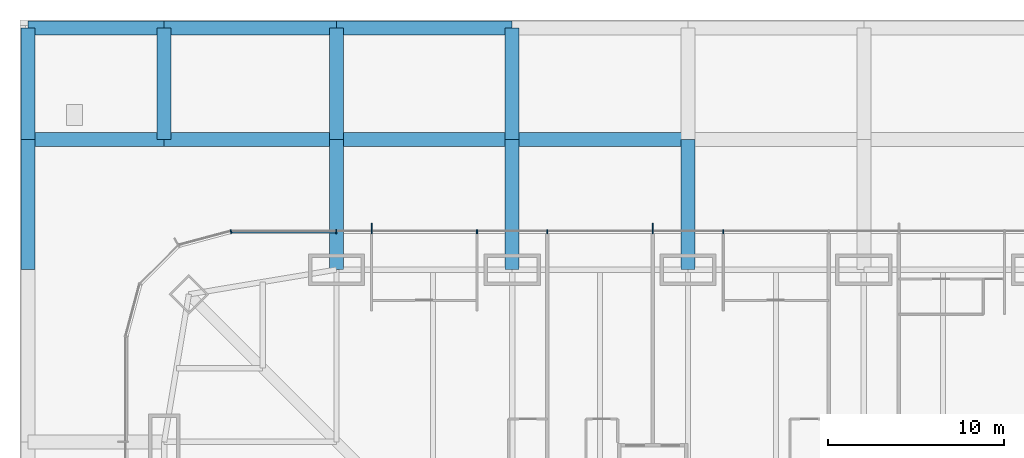
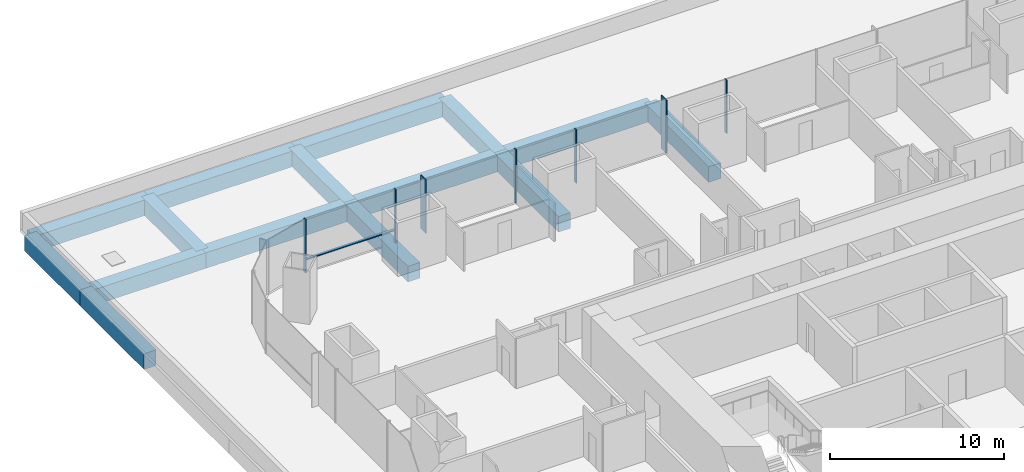
# One storey, part 10 of 20: 15 beams, 8 members, 2 elements without a shape of their own.
"""IFC4 building model written with IfcOpenShell, lengths in metres."""

from ifc_helpers import new_model, si_unit, direction, frame, origin, origin_2d, place, context, subcontext, project, spatial, rectangle, extrude, material, material_profile, profile_set, type_object, element, aggregate, save


model = new_model("IFC4")

# Units and contexts
model_context = context("Model", 3, precision=1e-05, world=origin(), true_north=direction((0.0, 1.0)))
body_context = subcontext(model_context, "Body", "Model", "MODEL_VIEW")
ifc_project = project(units=[si_unit("LENGTHUNIT", "METRE"), si_unit("AREAUNIT", "SQUARE_METRE"), si_unit("VOLUMEUNIT", "CUBIC_METRE"), si_unit("PLANEANGLEUNIT", "RADIAN"), si_unit("MASSUNIT", "GRAM", prefix="KILO")], contexts=[model_context])

# Site, building, storey
site_placement = place(None, origin())
site = spatial("IfcSite", under=ifc_project, at=site_placement, CompositionType="ELEMENT")
building_placement = place(site_placement, origin())
building = spatial("IfcBuilding", under=site, at=building_placement, Name="Khuree Lantern Residences", CompositionType="ELEMENT")
storey_placement = place(building_placement, frame((0.0, 0.0, 21.0)))
storey = spatial("IfcBuildingStorey", under=building, at=storey_placement, Name="L04", CompositionType="ELEMENT", Elevation=21.0)

# Curtain wall, members
ifc_material_1 = material(Name="Bronze anodised aluminium", Category="aluminium")
curtain_wall_type_1 = type_object("IfcCurtainWallType", Name="CW-T1 TOWER FACE CURTAIN WALL", PredefinedType="USERDEFINED", material=ifc_material_1)
curtain_wall_1_placement = place(storey_placement, origin())
curtain_wall_1 = element("IfcCurtainWall", 1, at=curtain_wall_1_placement, inside=storey, type_object=curtain_wall_type_1, Name="L04 NORTH FACE CURTAIN WALL", ObjectType="Stick-built curtain wall", PredefinedType="USERDEFINED")
ifc_material_profile_1 = material_profile(ifc_material_1, rectangle(XDim=0.06494140625, YDim=0.60009765625, at=origin_2d()), Name="F1 65X600")
ifc_profile_set_1 = profile_set([ifc_material_profile_1], Name="Bronze anodised aluminium")
member_type_1 = type_object("IfcMemberType", Name="F1 BRONZE FIN MULLION TOWER 65X600", PredefinedType="MULLION", material=ifc_profile_set_1)
member_1_placement = place(storey_placement, frame((-2.0, 32.14990234375, 0.0), z_axis=(0.0, 0.0, 1.0), x_axis=(-1.0, 0.0, 0.0)))
member_1 = element("IfcMember", 2, at=member_1_placement, type_object=member_type_1, Name="L04 NORTH FACE FIN MULLION 24", PredefinedType="MULLION", context=body_context, shape_type="SweptSolid", body=[
    extrude(rectangle(XDim=0.06494140625, YDim=0.60009765625, at=origin_2d()), origin(), (0.0, 0.0, 1.0), 3.75),
])
member_2_placement = place(storey_placement, frame((-18.0, 32.14990234375, 0.0), z_axis=(0.0, 0.0, 1.0), x_axis=(-1.0, 0.0, 0.0)))
member_2 = element("IfcMember", 3, at=member_2_placement, type_object=member_type_1, Name="L04 NORTH FACE FIN MULLION 27", PredefinedType="MULLION", context=body_context, shape_type="SweptSolid", body=[
    extrude(rectangle(XDim=0.06494140625, YDim=0.60009765625, at=origin_2d()), origin(), (0.0, 0.0, 1.0), 3.75),
])
ifc_material_profile_2 = material_profile(ifc_material_1, rectangle(XDim=0.06494140625, YDim=0.219970703125, at=origin_2d()), Name="M1 65X220")
ifc_profile_set_2 = profile_set([ifc_material_profile_2], Name="Bronze anodised aluminium")
member_type_2 = type_object("IfcMemberType", Name="M1 BRONZE MULLION TOWER 65X220", PredefinedType="MULLION", material=ifc_profile_set_2)
member_3_placement = place(storey_placement, frame((2.0, 31.9599609375, 0.0), z_axis=(0.0, 0.0, 1.0), x_axis=(-1.0, 0.0, 0.0)))
member_3 = element("IfcMember", 4, at=member_3_placement, type_object=member_type_2, Name="L04 NORTH FACE MULLION 23", PredefinedType="MULLION", context=body_context, shape_type="SweptSolid", body=[
    extrude(rectangle(XDim=0.06494140625, YDim=0.219970703125, at=origin_2d()), origin(), (0.0, 0.0, 1.0), 3.75),
])
member_4_placement = place(storey_placement, frame((-8.0, 31.9599609375, 0.0), z_axis=(0.0, 0.0, 1.0), x_axis=(-1.0, 0.0, 0.0)))
member_4 = element("IfcMember", 5, at=member_4_placement, type_object=member_type_2, Name="L04 NORTH FACE MULLION 25", PredefinedType="MULLION", context=body_context, shape_type="SweptSolid", body=[
    extrude(rectangle(XDim=0.06494140625, YDim=0.219970703125, at=origin_2d()), origin(), (0.0, 0.0, 1.0), 3.75),
])
member_5_placement = place(storey_placement, frame((-12.0, 31.9599609375, 0.0), z_axis=(0.0, 0.0, 1.0), x_axis=(-1.0, 0.0, 0.0)))
member_5 = element("IfcMember", 6, at=member_5_placement, type_object=member_type_2, Name="L04 NORTH FACE MULLION 26", PredefinedType="MULLION", context=body_context, shape_type="SweptSolid", body=[
    extrude(rectangle(XDim=0.06494140625, YDim=0.219970703125, at=origin_2d()), origin(), (0.0, 0.0, 1.0), 3.75),
])
member_6_placement = place(storey_placement, frame((-20.0, 31.9599609375, 0.0), z_axis=(0.0, 0.0, 1.0), x_axis=(-1.0, 0.0, 0.0)))
member_6 = element("IfcMember", 7, at=member_6_placement, type_object=member_type_2, Name="L04 NORTH FACE MULLION 28", PredefinedType="MULLION", context=body_context, shape_type="SweptSolid", body=[
    extrude(rectangle(XDim=0.06494140625, YDim=0.219970703125, at=origin_2d()), origin(), (0.0, 0.0, 1.0), 3.75),
])

# Curtain wall, member
curtain_wall_type_2 = type_object("IfcCurtainWallType", Name="CW-T2 TOWER CORNER CURTAIN WALL", PredefinedType="USERDEFINED", material=ifc_material_1)
curtain_wall_2_placement = place(storey_placement, origin())
curtain_wall_2 = element("IfcCurtainWall", 8, at=curtain_wall_2_placement, inside=storey, type_object=curtain_wall_type_2, Name="L04 NORTH-WEST CORNER CURTAIN WALL", ObjectType="Faceted corner curtain wall", PredefinedType="USERDEFINED")
member_7_placement = place(storey_placement, frame((-25.994873046875, 31.961669921875, 0.0), z_axis=(0.0, 0.0, 1.0), x_axis=(-0.991444852794, -0.130526257387, 0.0)))
member_7 = element("IfcMember", 9, at=member_7_placement, type_object=member_type_2, Name="L04 NORTH-WEST CORNER MULLION 29", PredefinedType="MULLION", context=body_context, shape_type="SweptSolid", body=[
    extrude(rectangle(XDim=0.06494140625, YDim=0.219970703125, at=origin_2d()), origin(), (0.0, 0.0, 1.0), 3.75),
])
aggregate(curtain_wall_2, [member_7])

# Beams
ifc_material_2 = material(Name="Concrete C40/50", Category="concrete")
ifc_material_profile_3 = material_profile(ifc_material_2, rectangle(XDim=0.800048828125, YDim=1.10009765625, at=origin_2d()), Name="RC 800X1100")
ifc_profile_set_3 = profile_set([ifc_material_profile_3], Name="Concrete C40/50")
beam_type = type_object("IfcBeamType", Name="RB4 PODIUM ROOF BEAM RC 800X1100", PredefinedType="BEAM", material=ifc_profile_set_3)
beam_1_placement = place(storey_placement, frame((-37.550048828125, 37.199951171875, -0.800048828125), z_axis=(1.0, 0.0, 0.0), x_axis=(0.0, 1.0, 0.0)))
element("IfcBeam", 10, at=beam_1_placement, inside=storey, type_object=beam_type, Name="Podium roof beam RB-11", PredefinedType="BEAM", context=body_context, shape_type="SweptSolid", body=[
    extrude(rectangle(XDim=0.800048828125, YDim=1.10009765625, at=origin_2d()), origin(), (0.0, 0.0, 1.0), 7.75),
])
beam_2_placement = place(storey_placement, frame((-29.800048828125, 37.199951171875, -0.800048828125), z_axis=(1.0, 0.0, 0.0), x_axis=(0.0, 1.0, 0.0)))
element("IfcBeam", 11, at=beam_2_placement, inside=storey, type_object=beam_type, Name="Podium roof beam RB-12", PredefinedType="BEAM", context=body_context, shape_type="SweptSolid", body=[
    extrude(rectangle(XDim=0.800048828125, YDim=1.10009765625, at=origin_2d()), origin(), (0.0, 0.0, 1.0), 9.800048828125),
])
for number, where, z_axis, x_axis, name in (
    (12, (-20.0, 37.199951171875, -0.800048828125), (1.0, 0.0, 0.0), (0.0, 1.0, 0.0), "Podium roof beam RB-13"),
    (13, (-10.0, 37.199951171875, -0.800048828125), (1.0, 0.0, 0.0), (0.0, 1.0, 0.0), "Podium roof beam RB-14"),
):
    element("IfcBeam", number, at=place(storey_placement, frame(where, z_axis=z_axis, x_axis=x_axis)), inside=storey, type_object=beam_type, Name=name, PredefinedType="BEAM", context=body_context, shape_type="SweptSolid", body=[
        extrude(rectangle(XDim=0.800048828125, YDim=1.10009765625, at=origin_2d()), origin(), (0.0, 0.0, 1.0), 10.0),
    ])
beam_3_placement = place(storey_placement, frame((-37.550048828125, 43.550048828125, -0.800048828125), z_axis=(1.0, 0.0, 0.0), x_axis=(0.0, 1.0, 0.0)))
element("IfcBeam", 14, at=beam_3_placement, inside=storey, type_object=beam_type, Name="Podium roof beam RB-19", PredefinedType="BEAM", context=body_context, shape_type="SweptSolid", body=[
    extrude(rectangle(XDim=0.800048828125, YDim=1.10009765625, at=origin_2d()), origin(), (0.0, 0.0, 1.0), 7.75),
])
beam_4_placement = place(storey_placement, frame((-29.800048828125, 43.550048828125, -0.800048828125), z_axis=(1.0, 0.0, 0.0), x_axis=(0.0, 1.0, 0.0)))
element("IfcBeam", 15, at=beam_4_placement, inside=storey, type_object=beam_type, Name="Podium roof beam RB-20", PredefinedType="BEAM", context=body_context, shape_type="SweptSolid", body=[
    extrude(rectangle(XDim=0.800048828125, YDim=1.10009765625, at=origin_2d()), origin(), (0.0, 0.0, 1.0), 9.800048828125),
])
beam_5_placement = place(storey_placement, frame((-20.0, 43.550048828125, -0.800048828125), z_axis=(1.0, 0.0, 0.0), x_axis=(0.0, 1.0, 0.0)))
element("IfcBeam", 16, at=beam_5_placement, inside=storey, type_object=beam_type, Name="Podium roof beam RB-21", PredefinedType="BEAM", context=body_context, shape_type="SweptSolid", body=[
    extrude(rectangle(XDim=0.800048828125, YDim=1.10009765625, at=origin_2d()), origin(), (0.0, 0.0, 1.0), 10.0),
])
beam_6_placement = place(storey_placement, frame((-37.550048828125, 29.800048828125, -0.800048828125), z_axis=(0.0, 1.0, 0.0), x_axis=(-1.0, 0.0, 0.0)))
element("IfcBeam", 17, at=beam_6_placement, inside=storey, type_object=beam_type, Name="Podium roof beam RB-33", PredefinedType="BEAM", context=body_context, shape_type="SweptSolid", body=[
    extrude(rectangle(XDim=0.800048828125, YDim=1.10009765625, at=origin_2d()), origin(), (0.0, 0.0, 1.0), 7.39990234375),
])
for number, where, z_axis, x_axis, name in (
    (18, (-37.550048828125, 37.199951171875, -0.800048828125), (0.0, 1.0, 0.0), (-1.0, 0.0, 0.0), "Podium roof beam RB-34"),
    (19, (-29.800048828125, 37.199951171875, -0.800048828125), (0.0, 1.0, 0.0), (-1.0, 0.0, 0.0), "Podium roof beam RB-35"),
):
    element("IfcBeam", number, at=place(storey_placement, frame(where, z_axis=z_axis, x_axis=x_axis)), inside=storey, type_object=beam_type, Name=name, PredefinedType="BEAM", context=body_context, shape_type="SweptSolid", body=[
        extrude(rectangle(XDim=0.800048828125, YDim=1.10009765625, at=origin_2d()), origin(), (0.0, 0.0, 1.0), 6.35009765625),
    ])
beam_7_placement = place(storey_placement, frame((-20.0, 29.800048828125, -0.800048828125), z_axis=(0.0, 1.0, 0.0), x_axis=(-1.0, 0.0, 0.0)))
element("IfcBeam", 20, at=beam_7_placement, inside=storey, type_object=beam_type, Name="Podium roof beam RB-36", PredefinedType="BEAM", context=body_context, shape_type="SweptSolid", body=[
    extrude(rectangle(XDim=0.800048828125, YDim=1.10009765625, at=origin_2d()), origin(), (0.0, 0.0, 1.0), 7.39990234375),
])
beam_8_placement = place(storey_placement, frame((-20.0, 37.199951171875, -0.800048828125), z_axis=(0.0, 1.0, 0.0), x_axis=(-1.0, 0.0, 0.0)))
element("IfcBeam", 21, at=beam_8_placement, inside=storey, type_object=beam_type, Name="Podium roof beam RB-37", PredefinedType="BEAM", context=body_context, shape_type="SweptSolid", body=[
    extrude(rectangle(XDim=0.800048828125, YDim=1.10009765625, at=origin_2d()), origin(), (0.0, 0.0, 1.0), 6.35009765625),
])
beam_9_placement = place(storey_placement, frame((-10.0, 29.800048828125, -0.800048828125), z_axis=(0.0, 1.0, 0.0), x_axis=(-1.0, 0.0, 0.0)))
element("IfcBeam", 22, at=beam_9_placement, inside=storey, type_object=beam_type, Name="Podium roof beam RB-38", PredefinedType="BEAM", context=body_context, shape_type="SweptSolid", body=[
    extrude(rectangle(XDim=0.800048828125, YDim=1.10009765625, at=origin_2d()), origin(), (0.0, 0.0, 1.0), 7.39990234375),
])
beam_10_placement = place(storey_placement, frame((-10.0, 37.199951171875, -0.800048828125), z_axis=(0.0, 1.0, 0.0), x_axis=(-1.0, 0.0, 0.0)))
element("IfcBeam", 23, at=beam_10_placement, inside=storey, type_object=beam_type, Name="Podium roof beam RB-39", PredefinedType="BEAM", context=body_context, shape_type="SweptSolid", body=[
    extrude(rectangle(XDim=0.800048828125, YDim=1.10009765625, at=origin_2d()), origin(), (0.0, 0.0, 1.0), 6.35009765625),
])
beam_11_placement = place(storey_placement, frame((0.0, 29.800048828125, -0.800048828125), z_axis=(0.0, 1.0, 0.0), x_axis=(-1.0, 0.0, 0.0)))
element("IfcBeam", 24, at=beam_11_placement, inside=storey, type_object=beam_type, Name="Podium roof beam RB-40", PredefinedType="BEAM", context=body_context, shape_type="SweptSolid", body=[
    extrude(rectangle(XDim=0.800048828125, YDim=1.10009765625, at=origin_2d()), origin(), (0.0, 0.0, 1.0), 7.39990234375),
])

# Member
ifc_material_profile_4 = material_profile(ifc_material_1, rectangle(XDim=0.179931640625, YDim=0.06494140625, at=origin_2d()), Name="T1 180X65")
ifc_profile_set_4 = profile_set([ifc_material_profile_4], Name="Bronze anodised aluminium")
member_type_3 = type_object("IfcMemberType", Name="TRANSOM T1 TOWER 180X65", PredefinedType="USERDEFINED", material=ifc_profile_set_4)
member_8_placement = place(storey_placement, frame((-20.032470703125, 31.969970703125, 0.89990234375), z_axis=(-1.0, 0.0, 0.0), x_axis=(0.0, -1.0, 0.0)))
member_8 = element("IfcMember", 25, at=member_8_placement, type_object=member_type_3, Name="L04 NORTH FACE TRANSOM 28.1", ObjectType="Transom", PredefinedType="USERDEFINED", context=body_context, shape_type="SweptSolid", body=[
    extrude(rectangle(XDim=0.179931640625, YDim=0.06494140625, at=origin_2d()), origin(), (0.0, 0.0, 1.0), 5.9189453125),
])

aggregate(curtain_wall_1, [member_3, member_1, member_4, member_5, member_2, member_6, member_8])

save(model, "model.ifc")
